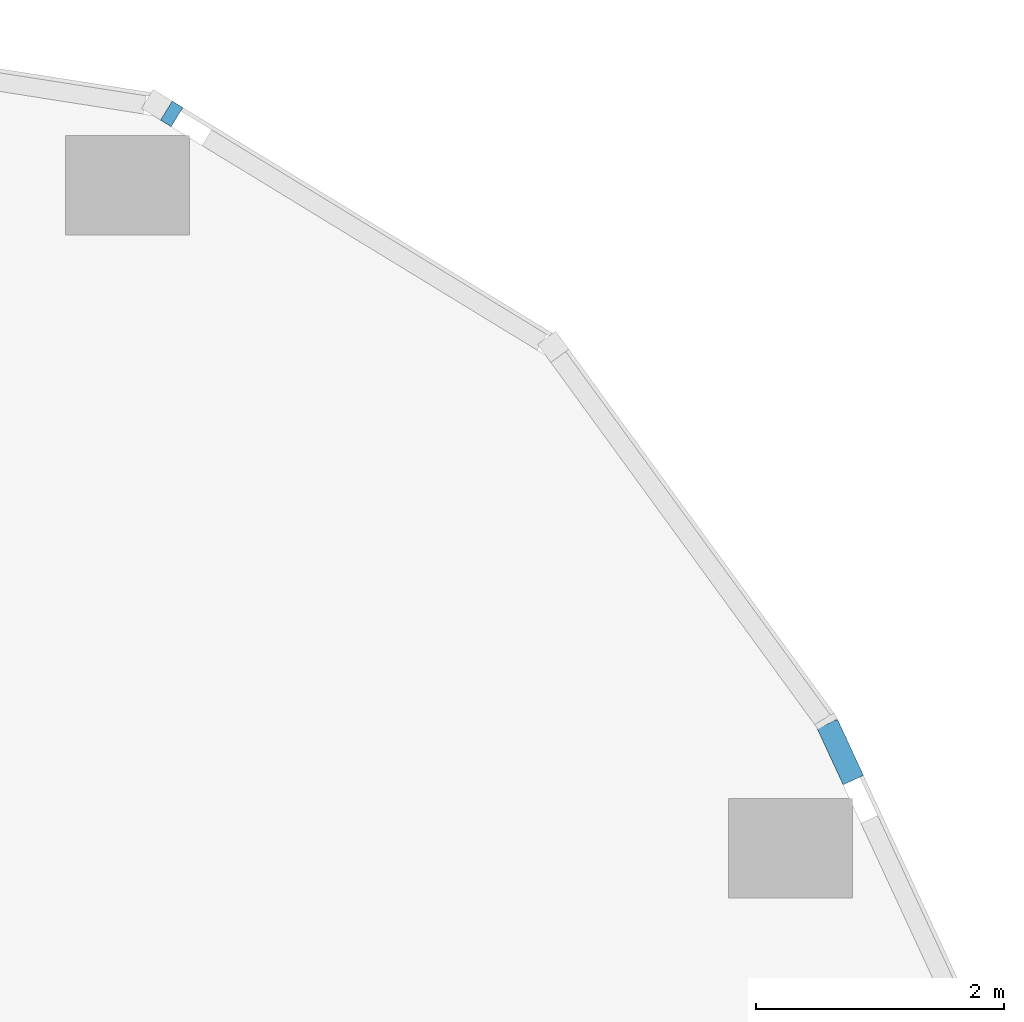
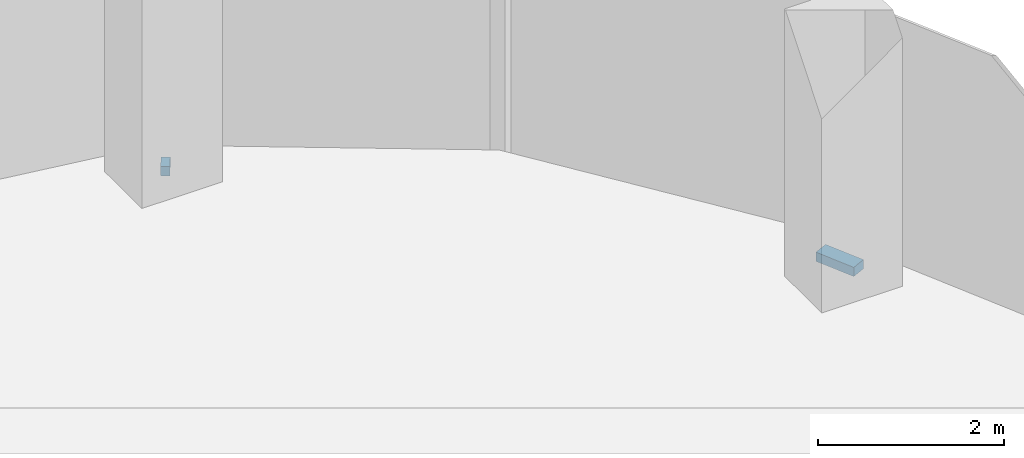
# One storey, part 15 of 23: 2 members, 2 elements without a shape of their own.
"""IFC4 building model written with IfcOpenShell, lengths in metres."""

from ifc_helpers import new_model, si_unit, direction, frame, origin, origin_2d, place, context, subcontext, project, spatial, rectangle, extrude, material, material_profile, profile_set, type_object, element, aggregate, save


model = new_model("IFC4")

# Units and contexts
model_context = context("Model", 3, precision=1e-05, world=origin(), true_north=direction((0.0, 1.0)))
body_context = subcontext(model_context, "Body", "Model", "MODEL_VIEW")
ifc_project = project(units=[si_unit("LENGTHUNIT", "METRE"), si_unit("AREAUNIT", "SQUARE_METRE"), si_unit("VOLUMEUNIT", "CUBIC_METRE"), si_unit("PLANEANGLEUNIT", "RADIAN"), si_unit("MASSUNIT", "GRAM", prefix="KILO")], contexts=[model_context])

# Site, building, storey
site_placement = place(None, origin())
site = spatial("IfcSite", under=ifc_project, at=site_placement, CompositionType="ELEMENT")
building_placement = place(site_placement, origin())
building = spatial("IfcBuilding", under=site, at=building_placement, Name="Orlundy Tower", CompositionType="ELEMENT")
storey_placement = place(building_placement, frame((0.0, 0.0, 260.5)))
storey = spatial("IfcBuildingStorey", under=building, at=storey_placement, Name="L69", CompositionType="ELEMENT", Elevation=260.5)

# Curtain wall, member
ifc_material_1 = material(Name="Aluminium bronze anodised", Category="aluminium")
curtain_wall_type = type_object("IfcCurtainWallType", Name="CW1 wall", PredefinedType="NOTDEFINED", material=ifc_material_1)
curtain_wall_1_placement = place(storey_placement, origin())
curtain_wall_1 = element("IfcCurtainWall", 1, at=curtain_wall_1_placement, inside=storey, type_object=curtain_wall_type, Name="CW1 run 13", PredefinedType="NOTDEFINED")
ifc_material_2 = material(Name="Aluminium bronze anodised", Category="aluminium")
ifc_material_profile = material_profile(ifc_material_2, rectangle(XDim=0.179931640625, YDim=0.1201171875, at=origin_2d()), Name="CW1 transom 180x120")
ifc_profile_set = profile_set([ifc_material_profile], Name="Aluminium bronze anodised")
member_type = type_object("IfcMemberType", Name="CW1 transom 180x120", PredefinedType="USERDEFINED", material=ifc_profile_set)
member_1_placement = place(storey_placement, frame((26.199462890625, 31.085205078125, -0.340087890625), z_axis=(0.853161300119, -0.52164719493, 0.0), x_axis=(0.52164719493, 0.853161300119, 0.0)))
member_1 = element("IfcMember", 2, at=member_1_placement, type_object=member_type, Name="CW1 transom", ObjectType="TRANSOM", PredefinedType="USERDEFINED", context=body_context, shape_type="SweptSolid", body=[
    extrude(rectangle(XDim=0.179931640625, YDim=0.1201171875, at=origin_2d()), origin(), (0.0, 0.0, 1.0), 0.10009765625),
])
aggregate(curtain_wall_1, [member_1])

curtain_wall_2_placement = place(storey_placement, origin())
curtain_wall_2 = element("IfcCurtainWall", 3, at=curtain_wall_2_placement, inside=storey, type_object=curtain_wall_type, Name="CW1 run 15", PredefinedType="NOTDEFINED")
member_2_placement = place(storey_placement, frame((31.526611328125, 26.14111328125, -0.340087890625), z_axis=(0.419494228682, -0.90775800305, 0.0), x_axis=(0.90775800305, 0.419494228682, 0.0)))
member_2 = element("IfcMember", 4, at=member_2_placement, type_object=member_type, Name="CW1 transom", ObjectType="TRANSOM", PredefinedType="USERDEFINED", context=body_context, shape_type="SweptSolid", body=[
    extrude(rectangle(XDim=0.179931640625, YDim=0.1201171875, at=origin_2d()), origin(), (0.0, 0.0, 1.0), 0.4970703125),
])
aggregate(curtain_wall_2, [member_2])

save(model, "model.ifc")
